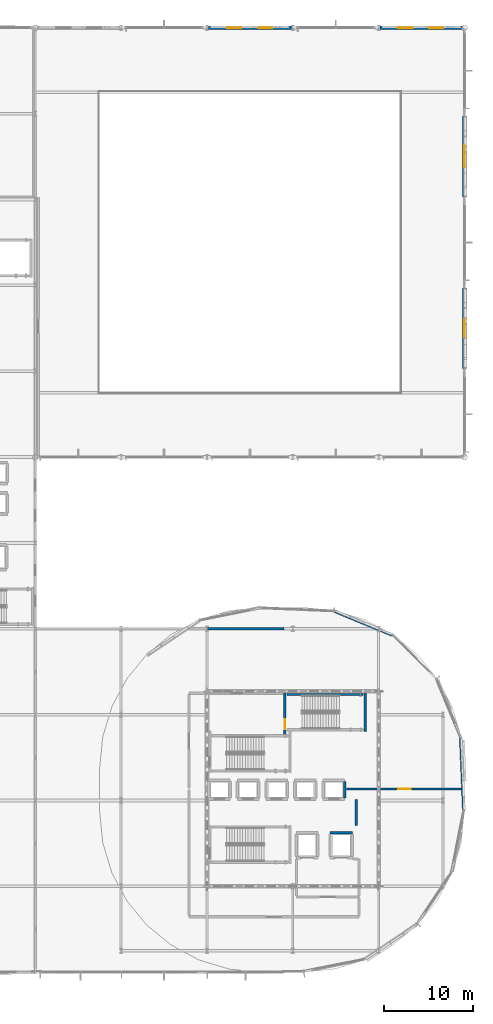
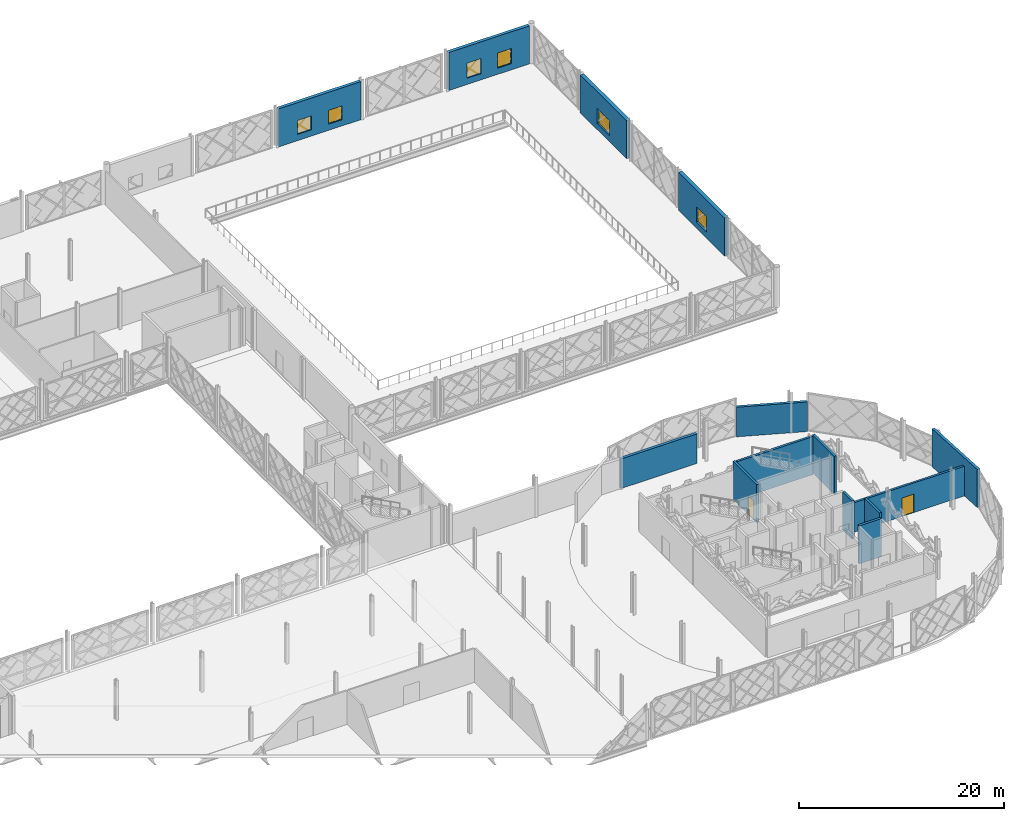
# One storey, part 53 of 77: 14 walls, 6 windows, 2 doors, 8 openings.
"""IFC4 building model written with IfcOpenShell, lengths in metres."""

from ifc_helpers import new_model, si_unit, direction, frame, frame_2d, origin, place, context, subcontext, project, spatial, rectangle, extrude, material, layer, layer_set, type_object, element, fill, save


model = new_model("IFC4")

# Units and contexts
model_context = context("Model", 3, precision=1e-05, world=origin(), true_north=direction((0.0, 1.0)))
body_context = subcontext(model_context, "Body", "Model", "MODEL_VIEW")
ifc_project = project(units=[si_unit("LENGTHUNIT", "METRE"), si_unit("AREAUNIT", "SQUARE_METRE"), si_unit("VOLUMEUNIT", "CUBIC_METRE"), si_unit("PLANEANGLEUNIT", "RADIAN"), si_unit("MASSUNIT", "GRAM", prefix="KILO")], contexts=[model_context])

# Site, building, storey
site_placement = place(None, origin())
site = spatial("IfcSite", under=ifc_project, at=site_placement, CompositionType="ELEMENT")
building_placement = place(site_placement, origin())
building = spatial("IfcBuilding", under=site, at=building_placement, Name="Zevrakil Square Congress Hotel", CompositionType="ELEMENT")
storey_placement = place(building_placement, frame((0.0, 0.0, 9.89990234375)))
storey = spatial("IfcBuildingStorey", under=building, at=storey_placement, Name="L03", CompositionType="ELEMENT", Elevation=9.89990234375)

# Wall
ifc_material_1 = material(Name="Concrete C35/45", Category="concrete")
ifc_layer_1 = layer(ifc_material_1, 0.239990234375)
ifc_layer_set_1 = layer_set([ifc_layer_1], Name="Concrete C35/45")
wall_type_1 = type_object("IfcWallType", Name="WAL-COMP-240", PredefinedType="SOLIDWALL", material=ifc_layer_set_1)
wall_1_placement = place(storey_placement, frame((153.5, 23.60009765625, 0.0), z_axis=(0.0, 0.0, 1.0), x_axis=(0.0, 1.0, 0.0)))
element("IfcWall", 1, at=wall_1_placement, inside=storey, type_object=wall_type_1, Name="L03 interior partition PW-L03-0072", PredefinedType="SOLIDWALL", context=body_context, shape_type="SweptSolid", body=[
    extrude(rectangle(XDim=2.89990234375, YDim=0.239990234375, at=frame_2d((1.449951171875, 0.0))), origin(), (0.0, 0.0, 1.0), 4.5400390625),
])

# Wall, opening, door
wall_2_placement = place(storey_placement, frame((152.39990234375, 27.699951171875, 0.0), z_axis=(0.0, 0.0, 1.0), x_axis=(1.0, 0.0, 0.0)))
wall_2 = element("IfcWall", 2, at=wall_2_placement, inside=storey, type_object=wall_type_1, Name="L03 interior partition PW-L03-0073", PredefinedType="SOLIDWALL", context=body_context, shape_type="SweptSolid", body=[
    extrude(rectangle(XDim=13.0, YDim=0.239990234375, at=frame_2d((6.5, 0.0))), origin(), (0.0, 0.0, 1.0), 3.53515625),
])
opening_1_placement = place(wall_2_placement, frame((5.800048828125, 0.0, 0.0)))
opening_1 = element("IfcOpeningElement", 3, at=opening_1_placement, cuts=wall_2, Name="Opening ID-09", PredefinedType="OPENING", context=body_context, shape_type="SweptSolid", body=[
    extrude(rectangle(XDim=1.39990234375, YDim=2.199951171875, at=frame_2d((0.699951171875, 1.10009765625))), frame((0.0, 0.1298828125, 0.0), z_axis=(0.0, -1.0, 0.0), x_axis=(1.0, 0.0, 0.0)), (0.0, 0.0, 1.0), 0.260009765625),
])
ifc_material_2 = material(Name="Steel S355 Louvred Plant Fire Door", Category="steel")
door_type_1 = type_object("IfcDoorType", Name="DOR-PLANT-140", OperationType="NOTDEFINED", PredefinedType="DOOR", material=ifc_material_2)
door_1_placement = place(opening_1_placement, origin())
door_1 = element("IfcDoor", 4, at=door_1_placement, inside=storey, type_object=door_type_1, Name="L03 interior door 26", OperationType="SINGLE_SWING_RIGHT", OverallHeight=2.199951171875, OverallWidth=1.39990234375, PredefinedType="DOOR", context=body_context, shape_type="SweptSolid", body=[
    extrude(rectangle(XDim=1.39990234375, YDim=2.199951171875, at=frame_2d((0.699951171875, 1.10009765625))), frame((0.0, 0.02490234375, 0.0), z_axis=(0.0, -1.0, 0.0), x_axis=(1.0, 0.0, 0.0)), (0.0, 0.0, 1.0), 0.050048828125),
])
fill(opening_1, door_1)

# Walls
ifc_material_3 = material(Name="Precast concrete C40/50", Category="concrete")
ifc_layer_2 = layer(ifc_material_3, 0.300048828125)
ifc_layer_set_2 = layer_set([ifc_layer_2], Name="Precast concrete C40/50")
wall_type_2 = type_object("IfcWallType", Name="WAL-EXT-DRM-300", PredefinedType="SOLIDWALL", material=ifc_layer_set_2)
wall_3_placement = place(storey_placement, frame((165.510009765625, 25.2451171875, 0.0), z_axis=(0.0, 0.0, 1.0), x_axis=(-0.04196780806, 0.999118963431, 0.0)))
element("IfcWall", 5, at=wall_3_placement, inside=storey, type_object=wall_type_2, Name="L03 exterior GRC wall EW-L03-0125", PredefinedType="SOLIDWALL", context=body_context, shape_type="SweptSolid", body=[
    extrude(rectangle(XDim=8.219970703125, YDim=0.300048828125, at=frame_2d((4.10986328125, 0.0))), origin(), (0.0, 0.0, 1.0), 4.5400390625),
])
wall_4_placement = place(storey_placement, frame((157.5302734375, 44.884033203125, 0.0), z_axis=(0.0, 0.0, 1.0), x_axis=(-0.923882190767, 0.382677014704, 0.0)))
element("IfcWall", 6, at=wall_4_placement, inside=storey, type_object=wall_type_2, Name="L03 exterior GRC wall EW-L03-0126", PredefinedType="SOLIDWALL", context=body_context, shape_type="SweptSolid", body=[
    extrude(rectangle(XDim=7.005615234375, YDim=0.300048828125, at=frame_2d((3.5029296875, 0.0))), origin(), (0.0, 0.0, 1.0), 3.53515625),
])
ifc_material_4 = material(Name="Precast concrete C40/50", Category="concrete")
ifc_layer_3 = layer(ifc_material_4, 0.320068359375)
ifc_layer_set_3 = layer_set([ifc_layer_3], Name="Precast concrete C40/50")
wall_type_3 = type_object("IfcWallType", Name="WAL-EXT-GRC-320", PredefinedType="SOLIDWALL", material=ifc_layer_set_3)
wall_5_placement = place(storey_placement, frame((136.802978515625, 45.60009765625, 0.0), z_axis=(0.0, 0.0, 1.0), x_axis=(1.0, 0.0, 0.0)))
element("IfcWall", 7, at=wall_5_placement, inside=storey, type_object=wall_type_3, Name="L03 exterior GRC wall EW-L03-0101", PredefinedType="SOLIDWALL", context=body_context, shape_type="SweptSolid", body=[
    extrude(rectangle(XDim=8.596923828125, YDim=0.320068359375, at=frame_2d((4.29833984375, 0.0))), origin(), (0.0, 0.0, 1.0), 3.53515625),
])

# Wall, openings, windows
ifc_material_5 = material(Name="Precast concrete C40/50", Category="concrete")
ifc_layer_4 = layer(ifc_material_5, 0.360107421875)
ifc_layer_set_4 = layer_set([ifc_layer_4], Name="Precast concrete C40/50")
wall_type_4 = type_object("IfcWallType", Name="WAL-EXT-GRC-360", PredefinedType="SOLIDWALL", material=ifc_layer_set_4)
wall_6_placement = place(storey_placement, frame((136.9541015625, 112.800048828125, 0.0), z_axis=(0.0, 0.0, 1.0), x_axis=(1.0, 0.0, 0.0)))
wall_6 = element("IfcWall", 8, at=wall_6_placement, inside=storey, type_object=wall_type_4, Name="L03 exterior GRC wall EW-L03-0066", PredefinedType="SOLIDWALL", context=body_context, shape_type="SweptSolid", body=[
    extrude(rectangle(XDim=9.2919921875, YDim=0.360107421875, at=frame_2d((4.64599609375, 0.0))), origin(), (0.0, 0.0, 1.0), 4.5400390625),
])
opening_2_placement = place(wall_6_placement, frame((2.123046875, 0.0, 0.75)))
opening_2 = element("IfcOpeningElement", 9, at=opening_2_placement, cuts=wall_6, Name="Opening WN-15", PredefinedType="OPENING", context=body_context, shape_type="SweptSolid", body=[
    extrude(rectangle(XDim=1.550048828125, YDim=1.64990234375, at=frame_2d((0.77490234375, 0.824951171875))), frame((0.0, 0.18994140625, 0.0), z_axis=(0.0, -1.0, 0.0), x_axis=(1.0, 0.0, 0.0)), (0.0, 0.0, 1.0), 0.380126953125),
])
opening_3_placement = place(wall_6_placement, frame((5.618896484375, 0.0, 0.75)))
opening_3 = element("IfcOpeningElement", 10, at=opening_3_placement, cuts=wall_6, Name="Opening WN-15", PredefinedType="OPENING", context=body_context, shape_type="SweptSolid", body=[
    extrude(rectangle(XDim=1.550048828125, YDim=1.64990234375, at=frame_2d((0.77490234375, 0.824951171875))), frame((0.0, 0.18994140625, 0.0), z_axis=(0.0, -1.0, 0.0), x_axis=(1.0, 0.0, 0.0)), (0.0, 0.0, 1.0), 0.380126953125),
])
ifc_material_6 = material(Name="Low-E Solar Control Double Glazing", Category="glass")
window_type_1 = type_object("IfcWindowType", Name="WIN-EXT-15", PartitioningType="SINGLE_PANEL", PredefinedType="WINDOW", material=ifc_material_6)
window_1_placement = place(opening_2_placement, origin())
window_1 = element("IfcWindow", 11, at=window_1_placement, inside=storey, type_object=window_type_1, Name="L03 low-E solar window 59", OverallHeight=1.64990234375, OverallWidth=1.550048828125, PartitioningType="SINGLE_PANEL", PredefinedType="WINDOW", context=body_context, shape_type="SweptSolid", body=[
    extrude(rectangle(XDim=1.550048828125, YDim=1.64990234375, at=frame_2d((0.77490234375, 0.824951171875))), frame((0.0, 0.030029296875, 0.0), z_axis=(0.0, -1.0, 0.0), x_axis=(1.0, 0.0, 0.0)), (0.0, 0.0, 1.0), 0.06005859375),
])
fill(opening_2, window_1)
window_2_placement = place(opening_3_placement, origin())
window_2 = element("IfcWindow", 12, at=window_2_placement, inside=storey, type_object=window_type_1, Name="L03 low-E solar window 60", OverallHeight=1.64990234375, OverallWidth=1.550048828125, PartitioningType="SINGLE_PANEL", PredefinedType="WINDOW", context=body_context, shape_type="SweptSolid", body=[
    extrude(rectangle(XDim=1.550048828125, YDim=1.64990234375, at=frame_2d((0.77490234375, 0.824951171875))), frame((0.0, 0.030029296875, 0.0), z_axis=(0.0, -1.0, 0.0), x_axis=(1.0, 0.0, 0.0)), (0.0, 0.0, 1.0), 0.06005859375),
])
fill(opening_3, window_2)

wall_7_placement = place(storey_placement, frame((156.154052734375, 112.800048828125, 0.0), z_axis=(0.0, 0.0, 1.0), x_axis=(1.0, 0.0, 0.0)))
wall_7 = element("IfcWall", 13, at=wall_7_placement, inside=storey, type_object=wall_type_4, Name="L03 exterior GRC wall EW-L03-0070", PredefinedType="SOLIDWALL", context=body_context, shape_type="SweptSolid", body=[
    extrude(rectangle(XDim=9.136962890625, YDim=0.360107421875, at=frame_2d((4.568359375, 0.0))), origin(), (0.0, 0.0, 1.0), 4.5400390625),
])
opening_4_placement = place(wall_7_placement, frame((2.059326171875, 0.0, 0.75)))
opening_4 = element("IfcOpeningElement", 14, at=opening_4_placement, cuts=wall_7, Name="Opening WN-21", PredefinedType="OPENING", context=body_context, shape_type="SweptSolid", body=[
    extrude(rectangle(XDim=1.60009765625, YDim=1.800048828125, at=frame_2d((0.800048828125, 0.89990234375))), frame((0.0, 0.18994140625, 0.0), z_axis=(0.0, -1.0, 0.0), x_axis=(1.0, 0.0, 0.0)), (0.0, 0.0, 1.0), 0.380126953125),
])
opening_5_placement = place(wall_7_placement, frame((5.477783203125, 0.0, 0.75)))
opening_5 = element("IfcOpeningElement", 15, at=opening_5_placement, cuts=wall_7, Name="Opening WN-21", PredefinedType="OPENING", context=body_context, shape_type="SweptSolid", body=[
    extrude(rectangle(XDim=1.60009765625, YDim=1.800048828125, at=frame_2d((0.800048828125, 0.89990234375))), frame((0.0, 0.18994140625, 0.0), z_axis=(0.0, -1.0, 0.0), x_axis=(1.0, 0.0, 0.0)), (0.0, 0.0, 1.0), 0.380126953125),
])
ifc_material_7 = material(Name="Low-E Solar Control Double Glazing", Category="glass")
window_type_2 = type_object("IfcWindowType", Name="WIN-EXT-21", PartitioningType="SINGLE_PANEL", PredefinedType="WINDOW", material=ifc_material_7)
window_3_placement = place(opening_4_placement, origin())
window_3 = element("IfcWindow", 16, at=window_3_placement, inside=storey, type_object=window_type_2, Name="L03 low-E solar window 65", OverallHeight=1.800048828125, OverallWidth=1.60009765625, PartitioningType="SINGLE_PANEL", PredefinedType="WINDOW", context=body_context, shape_type="SweptSolid", body=[
    extrude(rectangle(XDim=1.60009765625, YDim=1.800048828125, at=frame_2d((0.800048828125, 0.89990234375))), frame((0.0, 0.030029296875, 0.0), z_axis=(0.0, -1.0, 0.0), x_axis=(1.0, 0.0, 0.0)), (0.0, 0.0, 1.0), 0.06005859375),
])
fill(opening_4, window_3)
window_4_placement = place(opening_5_placement, origin())
window_4 = element("IfcWindow", 17, at=window_4_placement, inside=storey, type_object=window_type_2, Name="L03 low-E solar window 66", OverallHeight=1.800048828125, OverallWidth=1.60009765625, PartitioningType="SINGLE_PANEL", PredefinedType="WINDOW", context=body_context, shape_type="SweptSolid", body=[
    extrude(rectangle(XDim=1.60009765625, YDim=1.800048828125, at=frame_2d((0.800048828125, 0.89990234375))), frame((0.0, 0.030029296875, 0.0), z_axis=(0.0, -1.0, 0.0), x_axis=(1.0, 0.0, 0.0)), (0.0, 0.0, 1.0), 0.06005859375),
])
fill(opening_5, window_4)

# Wall, opening, window
ifc_material_8 = material(Name="Precast concrete C40/50", Category="concrete")
ifc_layer_5 = layer(ifc_material_8, 0.419921875)
ifc_layer_set_5 = layer_set([ifc_layer_5], Name="Precast concrete C40/50")
wall_type_5 = type_object("IfcWallType", Name="WAL-EXT-HALL-420", PredefinedType="SOLIDWALL", material=ifc_layer_set_5)
wall_8_placement = place(storey_placement, frame((165.60009765625, 74.678955078125, 0.0), z_axis=(0.0, 0.0, 1.0), x_axis=(0.0, 1.0, 0.0)))
wall_8 = element("IfcWall", 18, at=wall_8_placement, inside=storey, type_object=wall_type_5, Name="L03 exterior GRC wall EW-L03-0073", PredefinedType="SOLIDWALL", context=body_context, shape_type="SweptSolid", body=[
    extrude(rectangle(XDim=9.0419921875, YDim=0.419921875, at=frame_2d((4.52099609375, 0.0))), origin(), (0.0, 0.0, 1.0), 4.5400390625),
])
opening_6_placement = place(wall_8_placement, frame((3.52099609375, 0.0, 0.75)))
opening_6 = element("IfcOpeningElement", 19, at=opening_6_placement, cuts=wall_8, Name="Opening WN-23", PredefinedType="OPENING", context=body_context, shape_type="SweptSolid", body=[
    extrude(rectangle(XDim=2.0, YDim=1.800048828125, at=frame_2d((1.0, 0.89990234375))), frame((0.0, 0.219970703125, 0.0), z_axis=(0.0, -1.0, 0.0), x_axis=(1.0, 0.0, 0.0)), (0.0, 0.0, 1.0), 0.43994140625),
])
ifc_material_9 = material(Name="Low-E Solar Control Double Glazing", Category="glass")
window_type_3 = type_object("IfcWindowType", Name="WIN-EXT-23", PartitioningType="SINGLE_PANEL", PredefinedType="WINDOW", material=ifc_material_9)
window_5_placement = place(opening_6_placement, origin())
window_5 = element("IfcWindow", 20, at=window_5_placement, inside=storey, type_object=window_type_3, Name="L03 low-E solar window 67", OverallHeight=1.800048828125, OverallWidth=2.0, PartitioningType="SINGLE_PANEL", PredefinedType="WINDOW", context=body_context, shape_type="SweptSolid", body=[
    extrude(rectangle(XDim=2.0, YDim=1.800048828125, at=frame_2d((1.0, 0.89990234375))), frame((0.0, 0.030029296875, 0.0), z_axis=(0.0, -1.0, 0.0), x_axis=(1.0, 0.0, 0.0)), (0.0, 0.0, 1.0), 0.06005859375),
])
fill(opening_6, window_5)

wall_9_placement = place(storey_placement, frame((165.60009765625, 93.87890625, 0.0), z_axis=(0.0, 0.0, 1.0), x_axis=(0.0, 1.0, 0.0)))
wall_9 = element("IfcWall", 21, at=wall_9_placement, inside=storey, type_object=wall_type_5, Name="L03 exterior GRC wall EW-L03-0076", PredefinedType="SOLIDWALL", context=body_context, shape_type="SweptSolid", body=[
    extrude(rectangle(XDim=9.0419921875, YDim=0.419921875, at=frame_2d((4.52099609375, 0.0))), origin(), (0.0, 0.0, 1.0), 4.5400390625),
])
opening_7_placement = place(wall_9_placement, frame((3.321044921875, 0.0, 0.75)))
opening_7 = element("IfcOpeningElement", 22, at=opening_7_placement, cuts=wall_9, Name="Opening WN-24", PredefinedType="OPENING", context=body_context, shape_type="SweptSolid", body=[
    extrude(rectangle(XDim=2.39990234375, YDim=1.800048828125, at=frame_2d((1.199951171875, 0.89990234375))), frame((0.0, 0.219970703125, 0.0), z_axis=(0.0, -1.0, 0.0), x_axis=(1.0, 0.0, 0.0)), (0.0, 0.0, 1.0), 0.43994140625),
])
ifc_material_10 = material(Name="Low-E Solar Control Double Glazing", Category="glass")
window_type_4 = type_object("IfcWindowType", Name="WIN-EXT-24", PartitioningType="SINGLE_PANEL", PredefinedType="WINDOW", material=ifc_material_10)
window_6_placement = place(opening_7_placement, origin())
window_6 = element("IfcWindow", 23, at=window_6_placement, inside=storey, type_object=window_type_4, Name="L03 low-E solar window 68", OverallHeight=1.800048828125, OverallWidth=2.39990234375, PartitioningType="SINGLE_PANEL", PredefinedType="WINDOW", context=body_context, shape_type="SweptSolid", body=[
    extrude(rectangle(XDim=2.39990234375, YDim=1.800048828125, at=frame_2d((1.199951171875, 0.89990234375))), frame((0.0, 0.030029296875, 0.0), z_axis=(0.0, -1.0, 0.0), x_axis=(1.0, 0.0, 0.0)), (0.0, 0.0, 1.0), 0.06005859375),
])
fill(opening_7, window_6)

# Wall, opening, door
ifc_material_11 = material(Name="Concrete C40/50", Category="concrete")
ifc_layer_6 = layer(ifc_material_11, 0.260009765625)
ifc_layer_set_6 = layer_set([ifc_layer_6], Name="Concrete C40/50")
wall_type_6 = type_object("IfcWallType", Name="WAL-SHAFT-260", PredefinedType="SHEAR", material=ifc_layer_set_6)
wall_10_placement = place(storey_placement, frame((145.5048828125, 33.764892578125, 0.0), z_axis=(0.0, 0.0, 1.0), x_axis=(0.0, 1.0, 0.0)))
wall_10 = element("IfcWall", 24, at=wall_10_placement, inside=storey, type_object=wall_type_6, Name="L03 ST03 stair shaft W wall", PredefinedType="SHEAR", context=body_context, shape_type="SweptSolid", body=[
    extrude(rectangle(XDim=4.64501953125, YDim=0.260009765625, at=frame_2d((2.322509765625, 0.0))), origin(), (0.0, 0.0, 1.0), 4.5400390625),
])
opening_8_placement = place(wall_10_placement, frame((0.610107421875, 0.0, 0.0)))
opening_8 = element("IfcOpeningElement", 25, at=opening_8_placement, cuts=wall_10, Name="Opening SD-ST03", PredefinedType="OPENING", context=body_context, shape_type="SweptSolid", body=[
    extrude(rectangle(XDim=1.10009765625, YDim=2.199951171875, at=frame_2d((0.550048828125, 1.10009765625))), frame((0.0, 0.14013671875, 0.0), z_axis=(0.0, -1.0, 0.0), x_axis=(1.0, 0.0, 0.0)), (0.0, 0.0, 1.0), 0.280029296875),
])
ifc_material_12 = material(Name="Steel S355 Fire-Rated Door", Category="steel")
door_type_2 = type_object("IfcDoorType", Name="DOR-STAIR-FD90-110", OperationType="NOTDEFINED", PredefinedType="DOOR", material=ifc_material_12)
door_2_placement = place(opening_8_placement, origin())
door_2 = element("IfcDoor", 26, at=door_2_placement, inside=storey, type_object=door_type_2, Name="L03 ST03 protected stair fire door", OperationType="SINGLE_SWING_RIGHT", OverallHeight=2.199951171875, OverallWidth=1.10009765625, PredefinedType="DOOR", context=body_context, shape_type="SweptSolid", body=[
    extrude(rectangle(XDim=1.10009765625, YDim=2.199951171875, at=frame_2d((0.550048828125, 1.10009765625))), frame((0.0, 0.02490234375, 0.0), z_axis=(0.0, -1.0, 0.0), x_axis=(1.0, 0.0, 0.0)), (0.0, 0.0, 1.0), 0.050048828125),
])
fill(opening_8, door_2)

# Walls
wall_11_placement = place(storey_placement, frame((154.4951171875, 34.139892578125, 0.0), z_axis=(0.0, 0.0, 1.0), x_axis=(0.0, 1.0, 0.0)))
element("IfcWall", 27, at=wall_11_placement, inside=storey, type_object=wall_type_6, Name="L03 ST03 stair shaft E wall", PredefinedType="SHEAR", context=body_context, shape_type="SweptSolid", body=[
    extrude(rectangle(XDim=4.27001953125, YDim=0.260009765625, at=frame_2d((2.135009765625, 0.0))), origin(), (0.0, 0.0, 1.0), 4.5400390625),
])
wall_12_placement = place(storey_placement, frame((145.739990234375, 38.2451171875, 0.0), z_axis=(0.0, 0.0, 1.0), x_axis=(1.0, 0.0, 0.0)))
element("IfcWall", 28, at=wall_12_placement, inside=storey, type_object=wall_type_6, Name="L03 ST03 stair shaft N wall", PredefinedType="SHEAR", context=body_context, shape_type="SweptSolid", body=[
    extrude(rectangle(XDim=8.52001953125, YDim=0.260009765625, at=frame_2d((4.260009765625, 0.0))), origin(), (0.0, 0.0, 1.0), 4.5400390625),
])
wall_13_placement = place(storey_placement, frame((152.199951171875, 26.68994140625, 0.0), z_axis=(0.0, 0.0, 1.0), x_axis=(0.0, 1.0, 0.0)))
element("IfcWall", 29, at=wall_13_placement, inside=storey, type_object=wall_type_6, Name="L03 HL5 lift shaft wall", PredefinedType="SHEAR", context=body_context, shape_type="SweptSolid", body=[
    extrude(rectangle(XDim=1.820068359375, YDim=0.260009765625, at=frame_2d((0.91015625, 0.0))), origin(), (0.0, 0.0, 1.0), 4.5400390625),
])
wall_14_placement = place(storey_placement, frame((150.550048828125, 22.800048828125, 0.0), z_axis=(0.0, 0.0, 1.0), x_axis=(1.0, 0.0, 0.0)))
element("IfcWall", 30, at=wall_14_placement, inside=storey, type_object=wall_type_6, Name="L03 SL1 lift shaft wall", PredefinedType="SHEAR", context=body_context, shape_type="SweptSolid", body=[
    extrude(rectangle(XDim=2.5, YDim=0.260009765625, at=frame_2d((1.25, 0.0))), origin(), (0.0, 0.0, 1.0), 4.5400390625),
])

save(model, "model.ifc")
